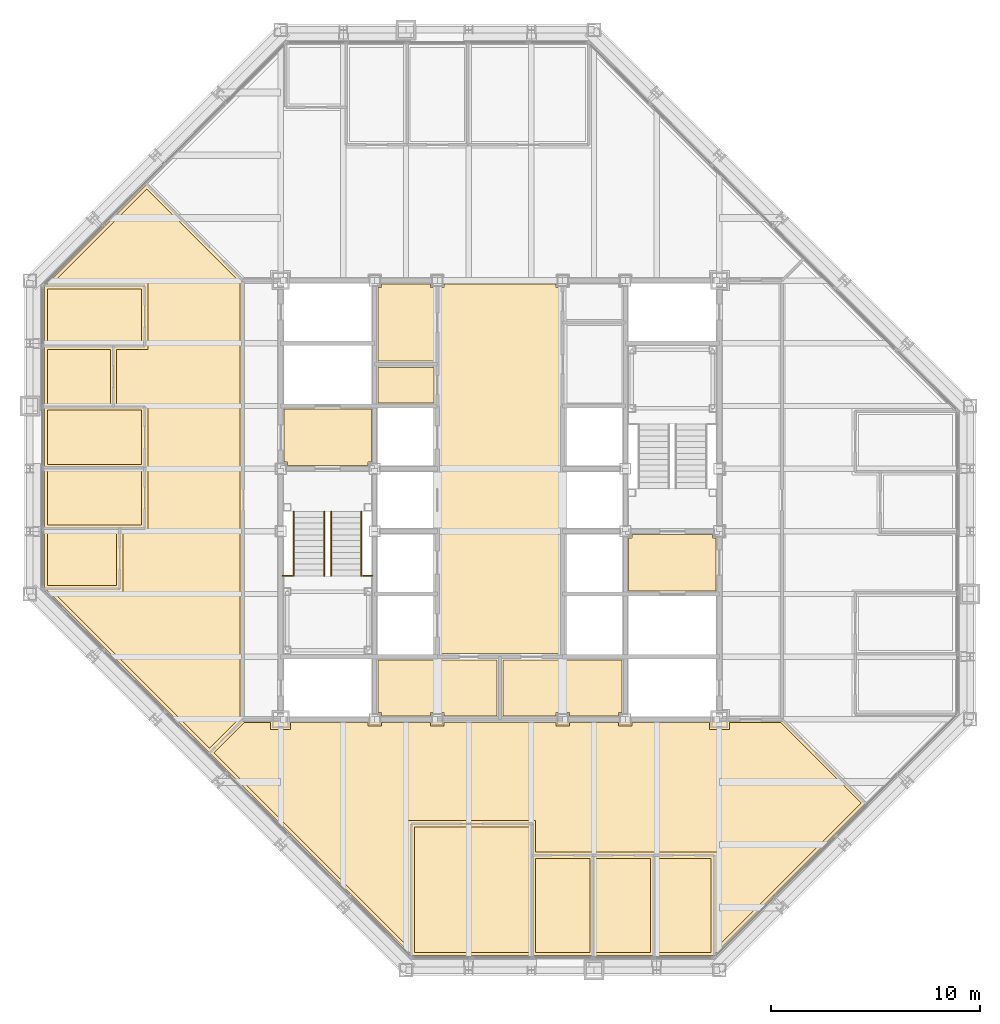
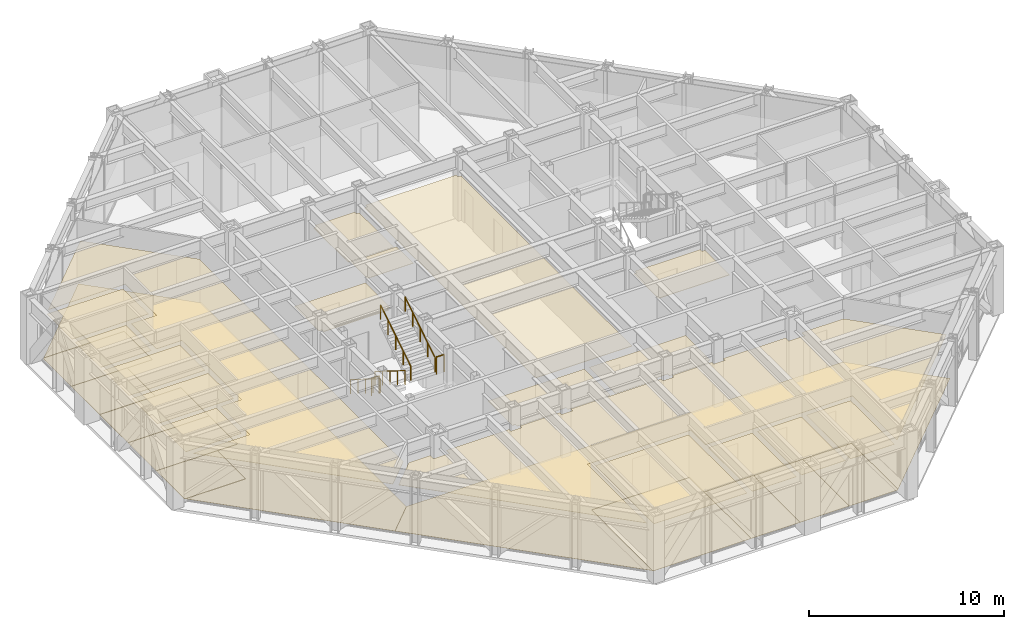
# One storey, part 15 of 16: 29 coverings, 6 railings.
"""IFC4 building model written with IfcOpenShell, lengths in metres."""

import ifcopenshell
import ifcopenshell.guid

model = None  # the IFC model being written
_history = None  # IfcOwnerHistory: only IFC2X3 demands one
_inside = {}  # id of a spatial element -> (the spatial element, [elements in it])
_under = {}  # id of a project, library or spatial element -> (it, [spatial elements below it])
_declared = {}  # id of a project -> (the project, [libraries it declares])
_typed = {}  # id of a type object -> (the type object, [elements of that type])
_made_of = {}  # id of a material, layer set ... -> (it, [elements and type objects made of it])


def new_model(schema):
    """Start an empty IFC model of exactly this schema.

    Asked for "IFC4X3", IfcOpenShell would pick the latest addendum, in which some entities
    have other attributes; the version numbers below select the first issue.
    IFC2X3 requires an IfcOwnerHistory on every rooted entity: one is made here for all.
    """
    global model, _history
    if schema == "IFC4X3":
        model = ifcopenshell.file(schema_version=(4, 3, 0, 0))
    else:
        model = ifcopenshell.file(schema=schema)
    _inside.clear()
    _under.clear()
    _declared.clear()
    _typed.clear()
    _made_of.clear()
    _history = None
    if model.schema == "IFC2X3":
        org = make("IfcOrganization", Name="unknown")
        user = make(
            "IfcPersonAndOrganization",
            ThePerson=make("IfcPerson", FamilyName="unknown"),
            TheOrganization=org,
        )
        app = make(
            "IfcApplication",
            ApplicationDeveloper=org,
            Version="unknown",
            ApplicationFullName="unknown",
            ApplicationIdentifier="unknown",
        )
        _history = make(
            "IfcOwnerHistory",
            OwningUser=user,
            OwningApplication=app,
            ChangeAction="ADDED",
            CreationDate=0,
        )
    return model


def make(cls, **values):
    """One entity of the class cls with the attributes given. An attribute that is None is left unset."""
    return model.create_entity(
        cls, **{name: value for name, value in values.items() if value is not None}
    )


def rooted(cls, **values):
    """An entity with a GlobalId (a new one), such as an element, a storey or a relation."""
    return make(cls, GlobalId=ifcopenshell.guid.new(), OwnerHistory=_history, **values)


def si_unit(unit_type, name, prefix=None):
    """IfcSIUnit, for example si_unit("LENGTHUNIT", "METRE", prefix="MILLI")."""
    return make("IfcSIUnit", UnitType=unit_type, Prefix=prefix, Name=name)


def assignment(units):
    """IfcUnitAssignment: the units of a project."""
    return None if units is None else make("IfcUnitAssignment", Units=units)


def point(xyz):
    """IfcCartesianPoint."""
    return None if xyz is None else make("IfcCartesianPoint", Coordinates=xyz)


def direction(xyz):
    """IfcDirection."""
    return None if xyz is None else make("IfcDirection", DirectionRatios=xyz)


def frame(location, z_axis=None, x_axis=None):
    """IfcAxis2Placement3D, a coordinate frame: its origin and axes. An axis left out is left unset."""
    return make(
        "IfcAxis2Placement3D",
        Location=point(location),
        Axis=direction(z_axis),
        RefDirection=direction(x_axis),
    )


def frame_2d(location, x_axis=None):
    """IfcAxis2Placement2D, a coordinate frame in the plane: its origin and x axis."""
    return make(
        "IfcAxis2Placement2D", Location=point(location), RefDirection=direction(x_axis)
    )


def origin():
    """The frame at (0, 0, 0) with its axes left unset."""
    return frame((0.0, 0.0, 0.0))


def origin_2d():
    """The frame at (0, 0) in the plane with its x axis left unset."""
    return frame_2d((0.0, 0.0))


def place(relative_to, where):
    """IfcLocalPlacement: puts the frame where relative to a parent placement (None: the world)."""
    return make(
        "IfcLocalPlacement", PlacementRelTo=relative_to, RelativePlacement=where
    )


def context(
    kind, dimensions, precision=None, world=None, true_north=None, identifier=None
):
    """IfcGeometricRepresentationContext, for example the 3D "Model" context."""
    return make(
        "IfcGeometricRepresentationContext",
        ContextIdentifier=identifier,
        ContextType=kind,
        CoordinateSpaceDimension=dimensions,
        Precision=precision,
        WorldCoordinateSystem=world,
        TrueNorth=true_north,
    )


def subcontext(parent, identifier, kind, view, scale=None):
    """IfcGeometricRepresentationSubContext, for example "Body" below "Model"."""
    return make(
        "IfcGeometricRepresentationSubContext",
        ContextIdentifier=identifier,
        ContextType=kind,
        ParentContext=parent,
        TargetScale=scale,
        TargetView=view,
    )


def project(units=None, contexts=None):
    """IfcProject with its units and contexts."""
    return rooted(
        "IfcProject",
        Name="project",
        RepresentationContexts=contexts,
        UnitsInContext=assignment(units),
    )


def spatial(cls, under=None, at=None, **own):
    """A site, building, storey or space (cls), placed at a placement, below another one or the project."""
    s = rooted(cls, ObjectPlacement=at, **own)
    if under is not None:
        _under.setdefault(under.id(), (under, []))[1].append(s)
    return s


def polyline(points):
    """IfcPolyline through the points."""
    return make("IfcPolyline", Points=[point(p) for p in points])


def profile(cls, at=None, kind="AREA", **sizes):
    """A parametric profile (cls). Its sizes go by their IFC names, for example OverallWidth=200.0."""
    return make(cls, ProfileType=kind, Position=at, **sizes)


def circle(**sizes):
    """IfcCircleProfileDef."""
    return profile("IfcCircleProfileDef", **sizes)


def outline(outer, holes=None, kind="AREA"):
    """IfcArbitraryClosedProfileDef: a profile drawn as a closed curve; with holes, ...WithVoids."""
    if holes is None:
        return make("IfcArbitraryClosedProfileDef", ProfileType=kind, OuterCurve=outer)
    return make(
        "IfcArbitraryProfileDefWithVoids",
        ProfileType=kind,
        OuterCurve=outer,
        InnerCurves=holes,
    )


def extrude(swept, where, along, depth):
    """IfcExtrudedAreaSolid: the profile swept, set in the frame where, extruded along a direction by depth."""
    return make(
        "IfcExtrudedAreaSolid",
        SweptArea=swept,
        Position=where,
        ExtrudedDirection=direction(along),
        Depth=depth,
    )


def shape(context_of_items, identifier, shape_type, items):
    """IfcShapeRepresentation: the items that make up one representation, for example the "Body"."""
    return make(
        "IfcShapeRepresentation",
        ContextOfItems=context_of_items,
        RepresentationIdentifier=identifier,
        RepresentationType=shape_type,
        Items=items,
    )


def material(Name=None, Category=None):
    """IfcMaterial."""
    return make("IfcMaterial", Name=Name, Category=Category)


def layer(
    of_material, thickness, ventilated=None, Name=None, Category=None, Priority=None
):
    """IfcMaterialLayer: one layer of a wall or slab, of a material (None: an air gap)."""
    return make(
        "IfcMaterialLayer",
        Material=of_material,
        LayerThickness=thickness,
        IsVentilated=ventilated,
        Name=Name,
        Category=Category,
        Priority=Priority,
    )


def layer_set(layers, Name=None):
    """IfcMaterialLayerSet."""
    return make("IfcMaterialLayerSet", MaterialLayers=layers, LayerSetName=Name)


def made_of(thing, what):
    """Note that an element or type object is made of a material, layer set ...; save() writes the relation."""
    if what is not None:
        _made_of.setdefault(what.id(), (what, []))[1].append(thing)
    return thing


def type_object(cls, material=None, **own):
    """A type object (cls), such as IfcWallType, which elements share."""
    return made_of(rooted(cls, **own), material)


def element(
    cls,
    number,
    at=None,
    inside=None,
    cuts=None,
    type_object=None,
    material=None,
    context=None,
    identifier="Body",
    shape_type=None,
    held_by="IfcProductDefinitionShape",
    body=None,
    shapes=None,
    **own,
):
    """One element of the class cls, such as IfcWall. Its Tag is "e" and its number.

    at: its placement. inside: the storey or other place that contains it. cuts: it is an
    opening in that element (IfcRelVoidsElement). A single representation is given by context,
    identifier, shape_type and body (its items); several are given by shapes. held_by: the class
    of the entity that holds the representations. save() writes the other relations.
    """
    e = rooted(cls, Tag="e%d" % number, ObjectPlacement=at, **own)
    if body is not None:
        shapes = [shape(context, identifier, shape_type, body)]
    if shapes is not None:
        e.Representation = make(held_by, Representations=shapes)
    if inside is not None:
        _inside.setdefault(inside.id(), (inside, []))[1].append(e)
    if cuts is not None:
        rooted(
            "IfcRelVoidsElement", RelatingBuildingElement=cuts, RelatedOpeningElement=e
        )
    if type_object is not None:
        _typed.setdefault(type_object.id(), (type_object, []))[1].append(e)
    return made_of(e, material)


def aggregate(whole, parts):
    """IfcRelAggregates: a whole, such as a stair, and the parts it consists of."""
    return rooted("IfcRelAggregates", RelatingObject=whole, RelatedObjects=parts)


def save(model, path):
    """Write the relations noted so far, then the file.

    IfcRelAggregates (storeys below a building ...), IfcRelContainedInSpatialStructure (elements
    in a storey), IfcRelDefinesByType, IfcRelAssociatesMaterial and IfcRelDeclares: one each for
    every whole, place, type object, material and project.
    """
    for whole, parts in _under.values():
        aggregate(whole, parts)
    for where, things in _inside.values():
        rooted(
            "IfcRelContainedInSpatialStructure",
            RelatedElements=things,
            RelatingStructure=where,
        )
    for kind, things in _typed.values():
        rooted("IfcRelDefinesByType", RelatedObjects=things, RelatingType=kind)
    for what, things in _made_of.values():
        rooted("IfcRelAssociatesMaterial", RelatedObjects=things, RelatingMaterial=what)
    for by, libraries in _declared.values():
        rooted("IfcRelDeclares", RelatingContext=by, RelatedDefinitions=libraries)
    model.write(path)


model = new_model("IFC4")

# Units and contexts
model_context = context("Model", 3, precision=1e-05, world=origin(), true_north=direction((0.0, 1.0)))
body_context = subcontext(model_context, "Body", "Model", "MODEL_VIEW")
ifc_project = project(units=[si_unit("LENGTHUNIT", "METRE"), si_unit("AREAUNIT", "SQUARE_METRE"), si_unit("VOLUMEUNIT", "CUBIC_METRE"), si_unit("PLANEANGLEUNIT", "RADIAN"), si_unit("MASSUNIT", "GRAM", prefix="KILO")], contexts=[model_context])

# Site, building, storey
site_placement = place(None, origin())
site = spatial("IfcSite", under=ifc_project, at=site_placement, CompositionType="ELEMENT")
building_placement = place(site_placement, origin())
building = spatial("IfcBuilding", under=site, at=building_placement, Name="Chuquiago Exchange Tower", CompositionType="ELEMENT")
storey_placement = place(building_placement, frame((0.0, 0.0, 222.300048828125)))
storey = spatial("IfcBuildingStorey", under=building, at=storey_placement, Name="L49", CompositionType="ELEMENT", Elevation=222.300048828125)

# Coverings
ifc_material_1 = material(Name="Mineral fibre tile, 600 x 600, on pale metal grid", Category="mineral fibre")
ifc_layer_1 = layer(ifc_material_1, 0.02001953125)
ifc_layer_set_1 = layer_set([ifc_layer_1], Name="CL1 suspended tile ceiling 20")
covering_type_1 = type_object("IfcCoveringType", Name="CL1 suspended tile ceiling 20", PredefinedType="CEILING", material=ifc_layer_set_1)
covering_1_placement = place(storey_placement, frame((0.0, 0.0, 2.800048828125)))
element("IfcCovering", 1, at=covering_1_placement, inside=storey, type_object=covering_type_1, Name="Ceiling Conference room", PredefinedType="CEILING", context=body_context, shape_type="SweptSolid", body=[
    extrude(outline(polyline([(18.3984375, 6.85009765625), (23.899658203125, 6.85009765625), (23.899658203125, 0.85009765625), (18.3984375, 0.85009765625), (18.3984375, 6.85009765625)])), origin(), (0.0, 0.0, 1.0), 0.02001953125),
])
covering_2_placement = place(storey_placement, frame((0.0, 0.0, 2.800048828125)))
element("IfcCovering", 2, at=covering_2_placement, inside=storey, type_object=covering_type_1, Name="Ceiling Office", PredefinedType="CEILING", context=body_context, shape_type="SweptSolid", body=[
    extrude(outline(polyline([(24.19970703125, 5.35009765625), (26.80029296875, 5.35009765625), (26.80029296875, 0.85009765625), (24.19970703125, 0.85009765625), (24.19970703125, 5.35009765625)])), origin(), (0.0, 0.0, 1.0), 0.02001953125),
])
covering_3_placement = place(storey_placement, frame((0.0, 0.0, 2.800048828125)))
element("IfcCovering", 3, at=covering_3_placement, inside=storey, type_object=covering_type_1, Name="Ceiling Compliance office", PredefinedType="CEILING", context=body_context, shape_type="SweptSolid", body=[
    extrude(outline(polyline([(27.100341796875, 5.35009765625), (29.700927734375, 5.35009765625), (29.700927734375, 0.85009765625), (27.100341796875, 0.85009765625), (27.100341796875, 5.35009765625)])), origin(), (0.0, 0.0, 1.0), 0.02001953125),
])
covering_4_placement = place(storey_placement, frame((0.0, 0.0, 2.800048828125)))
element("IfcCovering", 4, at=covering_4_placement, inside=storey, type_object=covering_type_1, Name="Ceiling Office", PredefinedType="CEILING", context=body_context, shape_type="SweptSolid", body=[
    extrude(outline(polyline([(30.0009765625, 0.85009765625), (30.0009765625, 5.35009765625), (32.6015625, 5.35009765625), (32.6015625, 0.85009765625), (30.0009765625, 0.85009765625)])), origin(), (0.0, 0.0, 1.0), 0.02001953125),
])
covering_5_placement = place(storey_placement, frame((0.0, 0.0, 2.800048828125)))
element("IfcCovering", 5, at=covering_5_placement, inside=storey, type_object=covering_type_1, Name="Ceiling Pantry", PredefinedType="CEILING", context=body_context, shape_type="SweptSolid", body=[
    extrude(outline(polyline([(0.85009765625, 20.9990234375), (4.14990234375, 20.9990234375), (4.14990234375, 18.3984375), (0.85009765625, 18.3984375), (0.85009765625, 20.9990234375)])), origin(), (0.0, 0.0, 1.0), 0.02001953125),
])
covering_6_placement = place(storey_placement, frame((0.0, 0.0, 2.800048828125)))
element("IfcCovering", 6, at=covering_6_placement, inside=storey, type_object=covering_type_1, Name="Ceiling Office", PredefinedType="CEILING", context=body_context, shape_type="SweptSolid", body=[
    extrude(outline(polyline([(5.35009765625, 23.899658203125), (5.35009765625, 21.299072265625), (0.85009765625, 21.299072265625), (0.85009765625, 23.899658203125), (5.35009765625, 23.899658203125)])), origin(), (0.0, 0.0, 1.0), 0.02001953125),
])
covering_7_placement = place(storey_placement, frame((0.0, 0.0, 2.800048828125)))
element("IfcCovering", 7, at=covering_7_placement, inside=storey, type_object=covering_type_1, Name="Ceiling Meeting room", PredefinedType="CEILING", context=body_context, shape_type="SweptSolid", body=[
    extrude(outline(polyline([(5.35009765625, 26.80029296875), (5.35009765625, 24.19970703125), (0.85009765625, 24.19970703125), (0.85009765625, 26.80029296875), (5.35009765625, 26.80029296875)])), origin(), (0.0, 0.0, 1.0), 0.02001953125),
])
covering_8_placement = place(storey_placement, frame((0.0, 0.0, 2.800048828125)))
element("IfcCovering", 8, at=covering_8_placement, inside=storey, type_object=covering_type_1, Name="Ceiling Store", PredefinedType="CEILING", context=body_context, shape_type="SweptSolid", body=[
    extrude(outline(polyline([(3.85009765625, 29.700927734375), (3.85009765625, 27.100341796875), (0.85009765625, 27.100341796875), (0.85009765625, 29.700927734375), (3.85009765625, 29.700927734375)])), origin(), (0.0, 0.0, 1.0), 0.02001953125),
])
covering_9_placement = place(storey_placement, frame((0.0, 0.0, 2.800048828125)))
element("IfcCovering", 9, at=covering_9_placement, inside=storey, type_object=covering_type_1, Name="Ceiling Office", PredefinedType="CEILING", context=body_context, shape_type="SweptSolid", body=[
    extrude(outline(polyline([(5.35009765625, 32.6015625), (5.35009765625, 30.0009765625), (0.85009765625, 30.0009765625), (0.85009765625, 32.6015625), (5.35009765625, 32.6015625)])), origin(), (0.0, 0.0, 1.0), 0.02001953125),
])
covering_10_placement = place(storey_placement, frame((0.0, 0.0, 2.800048828125)))
element("IfcCovering", 10, at=covering_10_placement, inside=storey, type_object=covering_type_1, Name="Ceiling Open office south", PredefinedType="CEILING", context=body_context, shape_type="SweptSolid", body=[
    extrude(outline(polyline([(32.901611328125, 5.64990234375), (24.19970703125, 5.64990234375), (24.19970703125, 7.14990234375), (18.098388671875, 7.14990234375), (18.098388671875, 1.103515625), (8.807373046875, 10.39453125), (10.2626953125, 11.85009765625), (11.52490234375, 11.85009765625), (11.52490234375, 11.52490234375), (12.47509765625, 11.52490234375), (12.47509765625, 11.85009765625), (16.175048828125, 11.85009765625), (16.175048828125, 11.675048828125), (16.824951171875, 11.675048828125), (16.824951171875, 11.85009765625), (19.175048828125, 11.85009765625), (19.175048828125, 11.675048828125), (19.824951171875, 11.675048828125), (19.824951171875, 11.85009765625), (25.175048828125, 11.85009765625), (25.175048828125, 11.675048828125), (25.824951171875, 11.675048828125), (25.824951171875, 11.85009765625), (28.175048828125, 11.85009765625), (28.175048828125, 11.675048828125), (28.824951171875, 11.675048828125), (28.824951171875, 11.85009765625), (32.52490234375, 11.85009765625), (32.52490234375, 11.52490234375), (33.47509765625, 11.52490234375), (33.47509765625, 11.85009765625), (35.9375, 11.85009765625), (39.79248046875, 7.99462890625), (32.901611328125, 1.103515625), (32.901611328125, 5.64990234375)])), origin(), (0.0, 0.0, 1.0), 0.02001953125),
])
covering_11_placement = place(storey_placement, frame((0.0, 0.0, 2.800048828125)))
element("IfcCovering", 11, at=covering_11_placement, inside=storey, type_object=covering_type_1, Name="Ceiling Open office west", PredefinedType="CEILING", context=body_context, shape_type="SweptSolid", body=[
    extrude(outline(polyline([(4.449951171875, 18.098388671875), (4.449951171875, 20.9990234375), (5.64990234375, 20.9990234375), (5.64990234375, 27.100341796875), (4.14990234375, 27.100341796875), (4.14990234375, 29.700927734375), (5.64990234375, 29.700927734375), (5.64990234375, 32.901611328125), (1.103515625, 32.901611328125), (5.594482421875, 37.392578125), (10.050048828125, 32.9375), (10.050048828125, 12.0625), (8.594482421875, 10.607421875), (1.103515625, 18.098388671875), (4.449951171875, 18.098388671875)])), origin(), (0.0, 0.0, 1.0), 0.02001953125),
])
covering_12_placement = place(storey_placement, frame((0.0, 0.0, 2.800048828125)))
element("IfcCovering", 12, at=covering_12_placement, inside=storey, type_object=covering_type_1, Name="Ceiling First aid room", PredefinedType="CEILING", context=body_context, shape_type="SweptSolid", body=[
    extrude(outline(polyline([(16.64990234375, 27.14990234375), (16.64990234375, 28.85009765625), (19.35009765625, 28.85009765625), (19.35009765625, 27.14990234375), (16.64990234375, 27.14990234375)])), origin(), (0.0, 0.0, 1.0), 0.02001953125),
])
ifc_material_2 = material(Name="Moisture resistant plasterboard on metal frame", Category="gypsum")
ifc_layer_2 = layer(ifc_material_2, 0.014892578125)
ifc_layer_set_2 = layer_set([ifc_layer_2], Name="CL2 moisture resistant ceiling 15")
covering_type_2 = type_object("IfcCoveringType", Name="CL2 moisture resistant ceiling 15", PredefinedType="CEILING", material=ifc_layer_set_2)
covering_13_placement = place(storey_placement, frame((0.0, 0.0, 2.599853515625)))
element("IfcCovering", 13, at=covering_13_placement, inside=storey, type_object=covering_type_2, Name="Ceiling Male WC", PredefinedType="CEILING", context=body_context, shape_type="SweptSolid", body=[
    extrude(outline(polyline([(16.64990234375, 29.14990234375), (16.64990234375, 32.675048828125), (16.824951171875, 32.675048828125), (16.824951171875, 32.85009765625), (19.175048828125, 32.85009765625), (19.175048828125, 32.675048828125), (19.35009765625, 32.675048828125), (19.35009765625, 29.14990234375), (16.64990234375, 29.14990234375)])), origin(), (0.0, 0.0, 1.0), 0.01513671875),
])
covering_14_placement = place(storey_placement, frame((0.0, 0.0, 2.599853515625)))
element("IfcCovering", 14, at=covering_14_placement, inside=storey, type_object=covering_type_2, Name="Ceiling Accessible WC", PredefinedType="CEILING", context=body_context, shape_type="SweptSolid", body=[
    extrude(outline(polyline([(25.824951171875, 12.14990234375), (25.824951171875, 12.324951171875), (25.175048828125, 12.324951171875), (25.175048828125, 12.14990234375), (22.64990234375, 12.14990234375), (22.64990234375, 14.85009765625), (28.35009765625, 14.85009765625), (28.35009765625, 12.324951171875), (28.175048828125, 12.324951171875), (28.175048828125, 12.14990234375), (25.824951171875, 12.14990234375)])), origin(), (0.0, 0.0, 1.0), 0.01513671875),
])
covering_15_placement = place(storey_placement, frame((0.0, 0.0, 2.599853515625)))
element("IfcCovering", 15, at=covering_15_placement, inside=storey, type_object=covering_type_2, Name="Ceiling Cleaner", PredefinedType="CEILING", context=body_context, shape_type="SweptSolid", body=[
    extrude(outline(polyline([(19.824951171875, 12.14990234375), (19.824951171875, 12.324951171875), (19.175048828125, 12.324951171875), (19.175048828125, 12.14990234375), (16.824951171875, 12.14990234375), (16.824951171875, 12.324951171875), (16.64990234375, 12.324951171875), (16.64990234375, 14.85009765625), (22.35009765625, 14.85009765625), (22.35009765625, 12.14990234375), (19.824951171875, 12.14990234375)])), origin(), (0.0, 0.0, 1.0), 0.01513671875),
])
ifc_material_3 = material(Name="Pale metal plank ceiling, perforated", Category="aluminium")
ifc_layer_3 = layer(ifc_material_3, 0.030029296875)
ifc_layer_set_3 = layer_set([ifc_layer_3], Name="CL3 metal plank ceiling 30")
covering_type_3 = type_object("IfcCoveringType", Name="CL3 metal plank ceiling 30", PredefinedType="CEILING", material=ifc_layer_set_3)
covering_16_placement = place(storey_placement, frame((0.0, 0.0, 2.800048828125)))
element("IfcCovering", 16, at=covering_16_placement, inside=storey, type_object=covering_type_3, Name="Ceiling Lift lobby", PredefinedType="CEILING", context=body_context, shape_type="SweptSolid", body=[
    extrude(outline(polyline([(19.64990234375, 15.14990234375), (19.64990234375, 32.675048828125), (19.824951171875, 32.675048828125), (19.824951171875, 32.85009765625), (25.175048828125, 32.85009765625), (25.175048828125, 32.675048828125), (25.35009765625, 32.675048828125), (25.35009765625, 15.14990234375), (19.64990234375, 15.14990234375)])), origin(), (0.0, 0.0, 1.0), 0.02978515625),
])
covering_17_placement = place(storey_placement, frame((0.0, 0.0, 2.800048828125)))
element("IfcCovering", 17, at=covering_17_placement, inside=storey, type_object=covering_type_3, Name="Ceiling Firefighting lobby", PredefinedType="CEILING", context=body_context, shape_type="SweptSolid", body=[
    extrude(outline(polyline([(12.324951171875, 24.14990234375), (12.324951171875, 24.324951171875), (12.14990234375, 24.324951171875), (12.14990234375, 26.85009765625), (16.35009765625, 26.85009765625), (16.35009765625, 24.324951171875), (16.175048828125, 24.324951171875), (16.175048828125, 24.14990234375), (12.324951171875, 24.14990234375)])), origin(), (0.0, 0.0, 1.0), 0.02978515625),
])
covering_18_placement = place(storey_placement, frame((0.0, 0.0, 2.800048828125)))
element("IfcCovering", 18, at=covering_18_placement, inside=storey, type_object=covering_type_3, Name="Ceiling Firefighting lobby", PredefinedType="CEILING", context=body_context, shape_type="SweptSolid", body=[
    extrude(outline(polyline([(28.64990234375, 18.14990234375), (28.64990234375, 20.675048828125), (28.824951171875, 20.675048828125), (28.824951171875, 20.85009765625), (32.675048828125, 20.85009765625), (32.675048828125, 20.675048828125), (32.85009765625, 20.675048828125), (32.85009765625, 18.14990234375), (28.64990234375, 18.14990234375)])), origin(), (0.0, 0.0, 1.0), 0.02978515625),
])
ifc_material_4 = material(Name="Carpet tile, 500 x 500, on the floor slab", Category="textile")
ifc_layer_4 = layer(ifc_material_4, 0.010009765625)
ifc_layer_set_4 = layer_set([ifc_layer_4], Name="FL1 carpet tile 10")
covering_type_4 = type_object("IfcCoveringType", Name="FL1 carpet tile 10", PredefinedType="FLOORING", material=ifc_layer_set_4)
covering_19_placement = place(storey_placement, origin())
element("IfcCovering", 19, at=covering_19_placement, inside=storey, type_object=covering_type_4, Name="Floor finish Conference room", PredefinedType="FLOORING", context=body_context, shape_type="SweptSolid", body=[
    extrude(outline(polyline([(18.289794921875, 0.699951171875), (18.24853515625, 0.741455078125), (18.24853515625, 7.0), (24.0498046875, 7.0), (24.0498046875, 0.699951171875), (18.289794921875, 0.699951171875)])), origin(), (0.0, 0.0, 1.0), 0.010009765625),
])
covering_20_placement = place(storey_placement, origin())
element("IfcCovering", 20, at=covering_20_placement, inside=storey, type_object=covering_type_4, Name="Floor finish Office", PredefinedType="FLOORING", context=body_context, shape_type="SweptSolid", body=[
    extrude(outline(polyline([(24.0498046875, 0.699951171875), (24.0498046875, 5.5), (26.9501953125, 5.5), (26.9501953125, 0.699951171875), (24.0498046875, 0.699951171875)])), origin(), (0.0, 0.0, 1.0), 0.010009765625),
])
covering_21_placement = place(storey_placement, origin())
element("IfcCovering", 21, at=covering_21_placement, inside=storey, type_object=covering_type_4, Name="Floor finish Compliance office", PredefinedType="FLOORING", context=body_context, shape_type="SweptSolid", body=[
    extrude(outline(polyline([(26.9501953125, 0.699951171875), (26.9501953125, 5.5), (29.850830078125, 5.5), (29.850830078125, 0.699951171875), (26.9501953125, 0.699951171875)])), origin(), (0.0, 0.0, 1.0), 0.010009765625),
])
covering_22_placement = place(storey_placement, origin())
element("IfcCovering", 22, at=covering_22_placement, inside=storey, type_object=covering_type_4, Name="Floor finish Office", PredefinedType="FLOORING", context=body_context, shape_type="SweptSolid", body=[
    extrude(outline(polyline([(32.710205078125, 0.699951171875), (29.850830078125, 0.699951171875), (29.850830078125, 5.5), (32.75146484375, 5.5), (32.75146484375, 0.741455078125), (32.710205078125, 0.699951171875)])), origin(), (0.0, 0.0, 1.0), 0.010009765625),
])
covering_23_placement = place(storey_placement, origin())
element("IfcCovering", 23, at=covering_23_placement, inside=storey, type_object=covering_type_4, Name="Floor finish Office", PredefinedType="FLOORING", context=body_context, shape_type="SweptSolid", body=[
    extrude(outline(polyline([(0.699951171875, 24.0498046875), (5.5, 24.0498046875), (5.5, 21.149169921875), (0.699951171875, 21.149169921875), (0.699951171875, 24.0498046875)])), origin(), (0.0, 0.0, 1.0), 0.010009765625),
])
covering_24_placement = place(storey_placement, origin())
element("IfcCovering", 24, at=covering_24_placement, inside=storey, type_object=covering_type_4, Name="Floor finish Meeting room", PredefinedType="FLOORING", context=body_context, shape_type="SweptSolid", body=[
    extrude(outline(polyline([(0.699951171875, 26.9501953125), (5.5, 26.9501953125), (5.5, 24.0498046875), (0.699951171875, 24.0498046875), (0.699951171875, 26.9501953125)])), origin(), (0.0, 0.0, 1.0), 0.010009765625),
])
covering_25_placement = place(storey_placement, origin())
element("IfcCovering", 25, at=covering_25_placement, inside=storey, type_object=covering_type_4, Name="Floor finish Office", PredefinedType="FLOORING", context=body_context, shape_type="SweptSolid", body=[
    extrude(outline(polyline([(0.699951171875, 32.710205078125), (0.741455078125, 32.75146484375), (5.5, 32.75146484375), (5.5, 29.850830078125), (0.699951171875, 29.850830078125), (0.699951171875, 32.710205078125)])), origin(), (0.0, 0.0, 1.0), 0.010009765625),
])
covering_26_placement = place(storey_placement, origin())
element("IfcCovering", 26, at=covering_26_placement, inside=storey, type_object=covering_type_4, Name="Floor finish Open office south", PredefinedType="FLOORING", context=body_context, shape_type="SweptSolid", body=[
    extrude(outline(polyline([(32.75146484375, 0.741455078125), (32.75146484375, 5.5), (24.0498046875, 5.5), (24.0498046875, 7.0), (18.24853515625, 7.0), (18.24853515625, 0.741455078125), (8.59521484375, 10.39453125), (10.200439453125, 12.0), (35.99951171875, 12.0), (40.004638671875, 7.99462890625), (32.75146484375, 0.741455078125)])), origin(), (0.0, 0.0, 1.0), 0.010009765625),
])
covering_27_placement = place(storey_placement, origin())
element("IfcCovering", 27, at=covering_27_placement, inside=storey, type_object=covering_type_4, Name="Floor finish Open office west", PredefinedType="FLOORING", context=body_context, shape_type="SweptSolid", body=[
    extrude(outline(polyline([(0.741455078125, 18.24853515625), (4.300048828125, 18.24853515625), (4.300048828125, 21.149169921875), (5.5, 21.149169921875), (5.5, 26.9501953125), (4.0, 26.9501953125), (4.0, 29.850830078125), (5.5, 29.850830078125), (5.5, 32.75146484375), (0.741455078125, 32.75146484375), (5.594482421875, 37.604736328125), (10.199951171875, 32.99951171875), (10.199951171875, 12.00048828125), (8.594482421875, 10.395263671875), (0.741455078125, 18.24853515625)])), origin(), (0.0, 0.0, 1.0), 0.010009765625),
])
ifc_material_5 = material(Name="Porcelain floor tile, 600 x 600, on adhesive bed", Category="ceramic")
ifc_layer_5 = layer(ifc_material_5, 0.014892578125)
ifc_layer_set_5 = layer_set([ifc_layer_5], Name="FL2 porcelain tile 15")
covering_type_5 = type_object("IfcCoveringType", Name="FL2 porcelain tile 15", PredefinedType="FLOORING", material=ifc_layer_set_5)
covering_28_placement = place(storey_placement, origin())
element("IfcCovering", 28, at=covering_28_placement, inside=storey, type_object=covering_type_5, Name="Floor finish Pantry", PredefinedType="FLOORING", context=body_context, shape_type="SweptSolid", body=[
    extrude(outline(polyline([(0.699951171875, 21.149169921875), (4.300048828125, 21.149169921875), (4.300048828125, 18.24853515625), (0.741455078125, 18.24853515625), (0.699951171875, 18.289794921875), (0.699951171875, 21.149169921875)])), origin(), (0.0, 0.0, 1.0), 0.014892578125),
])
covering_29_placement = place(storey_placement, origin())
element("IfcCovering", 29, at=covering_29_placement, inside=storey, type_object=covering_type_5, Name="Floor finish Store", PredefinedType="FLOORING", context=body_context, shape_type="SweptSolid", body=[
    extrude(outline(polyline([(0.699951171875, 29.850830078125), (4.0, 29.850830078125), (4.0, 26.9501953125), (0.699951171875, 26.9501953125), (0.699951171875, 29.850830078125)])), origin(), (0.0, 0.0, 1.0), 0.014892578125),
])

# Railings
ifc_material_6 = material(Name="Pale metal guard with safety glass infill", Category="glass")
railing_type_1 = type_object("IfcRailingType", Name="GR1 guard 1100", PredefinedType="GUARDRAIL", material=ifc_material_6)
for number, where, name in (
    (30, (12.10009765625, 18.8701171875, 2.099853515625), "Guard ST1 L49 landing 2"),
    (31, (15.945068359375, 18.8701171875, 2.099853515625), "Guard ST1 L49 landing 2"),
):
    element("IfcRailing", number, at=place(storey_placement, frame(where)), inside=storey, type_object=railing_type_1, Name=name, PredefinedType="GUARDRAIL", context=body_context, shape_type="SweptSolid", body=[
        extrude(circle(Radius=0.02392578125, at=origin_2d()), frame((0.0, 0.0, 1.076171875), z_axis=(1.0, 0.0, 0.0), x_axis=(0.0, 1.0, 0.0)), (0.0, 0.0, 1.0), 0.454833984375),
        extrude(circle(Radius=0.02099609375, at=origin_2d()), origin(), (0.0, 0.0, 1.0), 1.052001953125),
        extrude(circle(Radius=0.02099609375, at=origin_2d()), frame((0.454833984375, 0.0, 0.0)), (0.0, 0.0, 1.0), 1.052001953125),
    ])
ifc_material_7 = material(Name="Pale metal handrail", Category="steel")
railing_type_2 = type_object("IfcRailingType", Name="HR1 handrail 900", PredefinedType="HANDRAIL", material=ifc_material_7)
for number, where, name in (
    (32, (12.635009765625, 21.949951171875, 0.175048828125), "Handrail ST1 L49 flight 1"),
    (33, (14.0849609375, 21.949951171875, 0.175048828125), "Handrail ST1 L49 flight 1"),
):
    element("IfcRailing", number, at=place(storey_placement, frame(where)), inside=storey, type_object=railing_type_2, Name=name, PredefinedType="HANDRAIL", context=body_context, shape_type="SweptSolid", body=[
        extrude(circle(Radius=0.02392578125, at=origin_2d()), frame((0.0, 0.0, 0.8759765625), z_axis=(0.0, -0.848009633417, 0.529980812513), x_axis=(1.0, 0.0, 0.0)), (0.0, 0.0, 1.0), 3.6318359375),
        extrude(circle(Radius=0.02099609375, at=origin_2d()), origin(), (0.0, 0.0, 1.0), 0.851806640625),
        extrude(circle(Radius=0.02099609375, at=origin_2d()), frame((0.0, -0.77001953125, 0.481201171875)), (0.0, 0.0, 1.0), 0.851806640625),
        extrude(circle(Radius=0.02099609375, at=origin_2d()), frame((0.0, -1.5400390625, 0.96240234375)), (0.0, 0.0, 1.0), 0.851806640625),
        extrude(circle(Radius=0.02099609375, at=origin_2d()), frame((0.0, -2.309814453125, 1.443603515625)), (0.0, 0.0, 1.0), 0.851806640625),
        extrude(circle(Radius=0.02099609375, at=origin_2d()), frame((0.0, -3.079833984375, 1.9248046875)), (0.0, 0.0, 1.0), 0.851806640625),
    ])
for number, where, name in (
    (34, (15.864990234375, 18.8701171875, 2.27490234375), "Handrail ST1 L49 flight 2"),
    (35, (14.4150390625, 18.8701171875, 2.27490234375), "Handrail ST1 L49 flight 2"),
):
    element("IfcRailing", number, at=place(storey_placement, frame(where)), inside=storey, type_object=railing_type_2, Name=name, PredefinedType="HANDRAIL", context=body_context, shape_type="SweptSolid", body=[
        extrude(circle(Radius=0.02392578125, at=origin_2d()), frame((0.0, 0.0, 0.8759765625), z_axis=(0.0, 0.847979421464, 0.530029150871), x_axis=(-1.0, 0.0, 0.0)), (0.0, 0.0, 1.0), 3.632080078125),
        extrude(circle(Radius=0.02099609375, at=origin_2d()), origin(), (0.0, 0.0, 1.0), 0.851806640625),
        extrude(circle(Radius=0.02099609375, at=origin_2d()), frame((0.0, 0.77001953125, 0.481201171875)), (0.0, 0.0, 1.0), 0.851806640625),
        extrude(circle(Radius=0.02099609375, at=origin_2d()), frame((0.0, 1.5400390625, 0.96240234375)), (0.0, 0.0, 1.0), 0.851806640625),
        extrude(circle(Radius=0.02099609375, at=origin_2d()), frame((0.0, 2.309814453125, 1.44384765625)), (0.0, 0.0, 1.0), 0.851806640625),
        extrude(circle(Radius=0.02099609375, at=origin_2d()), frame((0.0, 3.079833984375, 1.925048828125)), (0.0, 0.0, 1.0), 0.851806640625),
    ])

save(model, "model.ifc")
